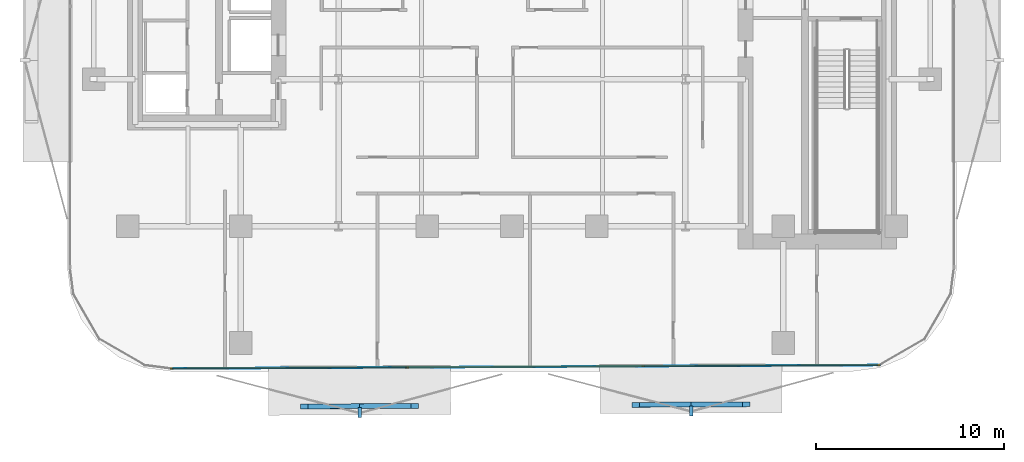
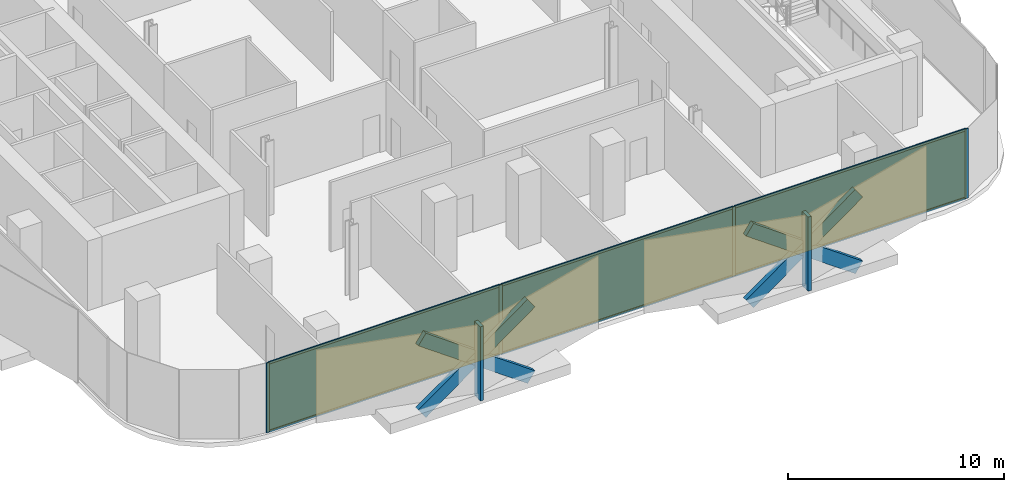
# One storey, part 7 of 15: 16 members, 3 plates, 1 curtain wall.
"""IFC4 building model written with IfcOpenShell, lengths in metres."""

from ifc_helpers import new_model, si_unit, direction, frame, frame_2d, origin, origin_2d, place, context, subcontext, project, spatial, rectangle, extrude, material, layer, layer_set, material_profile, profile_set, type_object, element, aggregate, save


model = new_model("IFC4")

# Units and contexts
model_context = context("Model", 3, precision=1e-05, world=origin(), true_north=direction((0.0, 1.0)))
body_context = subcontext(model_context, "Body", "Model", "MODEL_VIEW")
ifc_project = project(units=[si_unit("LENGTHUNIT", "METRE"), si_unit("AREAUNIT", "SQUARE_METRE"), si_unit("VOLUMEUNIT", "CUBIC_METRE"), si_unit("PLANEANGLEUNIT", "RADIAN"), si_unit("MASSUNIT", "GRAM", prefix="KILO")], contexts=[model_context])

# Member
ifc_material_1 = material(Name="Anodised Bronze Aluminium 6063-T6", Category="aluminium")
ifc_material_profile_1 = material_profile(ifc_material_1, rectangle(XDim=0.260009765625, YDim=0.699951171875, at=origin_2d()))
ifc_profile_set_1 = profile_set([ifc_material_profile_1], Name="Anodised Bronze Aluminium 6063-T6")
member_type_1 = type_object("IfcMemberType", Name="Bronze Diamond Solar-Screen Lattice Rib BDL-700", PredefinedType="MULLION", material=ifc_profile_set_1)
site_placement = place(None, origin())
building_placement = place(site_placement, origin())
storey_placement = place(building_placement, frame((0.0, 0.0, 135.199951171875)))
member_1_placement = place(storey_placement, frame((12.43408203125, -28.05078125, -0.1298828125), z_axis=(-0.812934950133, -0.003960582518, 0.582341034651), x_axis=(-0.007717649091, 0.999962326742, -0.003972780951)))
member_1 = element("IfcMember", 1, at=member_1_placement, type_object=member_type_1, Name="L31 Bronze Diamond Solar Screen Lattice Rib 193A", PredefinedType="MULLION", context=body_context, shape_type="SweptSolid", body=[
    extrude(rectangle(XDim=0.260009765625, YDim=0.699951171875, at=origin_2d()), origin(), (0.0, 0.0, 1.0), 7.212158203125),
])

member_2_placement = place(storey_placement, frame((6.571044921875, -28.079345703125, -0.1298828125), z_axis=(0.812934950133, 0.003960582518, 0.582341034651), x_axis=(0.007717649091, -0.999962326742, -0.003972780951)))
member_2 = element("IfcMember", 2, at=member_2_placement, type_object=member_type_1, Name="L31 Bronze Diamond Solar Screen Lattice Rib 193B", PredefinedType="MULLION", context=body_context, shape_type="SweptSolid", body=[
    extrude(rectangle(XDim=0.260009765625, YDim=0.699951171875, at=origin_2d()), origin(), (0.0, 0.0, 1.0), 7.212158203125),
])

member_3_placement = place(storey_placement, frame((-5.15478515625, -28.13671875, -0.1298828125), z_axis=(-0.812934950133, -0.003960582518, 0.582341034651), x_axis=(-0.007717649091, 0.999962326742, -0.003972780951)))
member_3 = element("IfcMember", 3, at=member_3_placement, type_object=member_type_1, Name="L31 Bronze Diamond Solar Screen Lattice Rib 194A", PredefinedType="MULLION", context=body_context, shape_type="SweptSolid", body=[
    extrude(rectangle(XDim=0.260009765625, YDim=0.699951171875, at=origin_2d()), origin(), (0.0, 0.0, 1.0), 7.212158203125),
])

member_4_placement = place(storey_placement, frame((-11.017822265625, -28.165283203125, -0.1298828125), z_axis=(0.812934950133, 0.003960582518, 0.582341034651), x_axis=(0.007717649091, -0.999962326742, -0.003972780951)))
member_4 = element("IfcMember", 4, at=member_4_placement, type_object=member_type_1, Name="L31 Bronze Diamond Solar Screen Lattice Rib 194B", PredefinedType="MULLION", context=body_context, shape_type="SweptSolid", body=[
    extrude(rectangle(XDim=0.260009765625, YDim=0.699951171875, at=origin_2d()), origin(), (0.0, 0.0, 1.0), 7.212158203125),
])

ifc_material_2 = material(Name="Anodised Bronze Aluminium 6063-T6", Category="aluminium")
ifc_material_profile_2 = material_profile(ifc_material_2, rectangle(XDim=0.179931640625, YDim=0.5400390625, at=origin_2d()))
ifc_profile_set_2 = profile_set([ifc_material_profile_2], Name="Anodised Bronze Aluminium 6063-T6")
member_type_2 = type_object("IfcMemberType", Name="Bronze Solar-Screen Vertical Fold Fin BSF-540", PredefinedType="MULLION", material=ifc_profile_set_2)
member_5_placement = place(storey_placement, frame((9.504150390625, -28.405029296875, -0.1298828125), z_axis=(0.0, 0.0, 1.0), x_axis=(-0.999988059021, -0.004886902454, 0.0)))
member_5 = element("IfcMember", 5, at=member_5_placement, type_object=member_type_2, Name="L31 Bronze Solar Screen Vertical Fin 193", PredefinedType="MULLION", context=body_context, shape_type="SweptSolid", body=[
    extrude(rectangle(XDim=0.179931640625, YDim=0.5400390625, at=origin_2d()), origin(), (0.0, 0.0, 1.0), 4.199951171875),
])

member_6_placement = place(storey_placement, frame((-8.084716796875, -28.4912109375, -0.1298828125), z_axis=(0.0, 0.0, 1.0), x_axis=(-0.999988059021, -0.004886902454, 0.0)))
member_6 = element("IfcMember", 6, at=member_6_placement, type_object=member_type_2, Name="L31 Bronze Solar Screen Vertical Fin 194", PredefinedType="MULLION", context=body_context, shape_type="SweptSolid", body=[
    extrude(rectangle(XDim=0.179931640625, YDim=0.5400390625, at=origin_2d()), origin(), (0.0, 0.0, 1.0), 4.199951171875),
])

ifc_material_3 = material(Name="Anodised Bronze Aluminium 6063-T6", Category="aluminium")
ifc_material_profile_3 = material_profile(ifc_material_3, rectangle(XDim=0.06494140625, YDim=0.175048828125, at=origin_2d()))
ifc_profile_set_3 = profile_set([ifc_material_profile_3], Name="Anodised Bronze Aluminium 6063-T6")
member_type_3 = type_object("IfcMemberType", Name="CW-Z2 Mullion 65x175", PredefinedType="MULLION", material=ifc_profile_set_3)
member_7_placement = place(storey_placement, frame((19.45458984375, -25.976318359375, 0.0), z_axis=(0.0, 0.0, 1.0), x_axis=(0.004891127252, -0.999988038366, 0.0)))
member_7 = element("IfcMember", 7, at=member_7_placement, type_object=member_type_3, Name="CW-Z2 mullion 1", PredefinedType="MULLION", context=body_context, shape_type="SweptSolid", body=[
    extrude(rectangle(XDim=0.06494140625, YDim=0.175048828125, at=origin_2d()), origin(), (0.0, 0.0, 1.0), 3.93994140625),
])

member_8_placement = place(storey_placement, frame((6.961181640625, -26.037353515625, 0.0), z_axis=(0.0, 0.0, 1.0), x_axis=(0.004891127252, -0.999988038366, 0.0)))
member_8 = element("IfcMember", 8, at=member_8_placement, type_object=member_type_3, Name="CW-Z2 mullion 2", PredefinedType="MULLION", context=body_context, shape_type="SweptSolid", body=[
    extrude(rectangle(XDim=0.06494140625, YDim=0.175048828125, at=origin_2d()), origin(), (0.0, 0.0, 1.0), 3.93994140625),
])

member_9_placement = place(storey_placement, frame((-5.56494140625, -26.0986328125, 0.0), z_axis=(0.0, 0.0, 1.0), x_axis=(0.004891127252, -0.999988038366, 0.0)))
member_9 = element("IfcMember", 9, at=member_9_placement, type_object=member_type_3, Name="CW-Z2 mullion 3", PredefinedType="MULLION", context=body_context, shape_type="SweptSolid", body=[
    extrude(rectangle(XDim=0.06494140625, YDim=0.175048828125, at=origin_2d()), origin(), (0.0, 0.0, 1.0), 3.93994140625),
])

member_10_placement = place(storey_placement, frame((-18.058349609375, -26.159912109375, 0.0), z_axis=(0.0, 0.0, 1.0), x_axis=(0.004891127252, -0.999988038366, 0.0)))
member_10 = element("IfcMember", 10, at=member_10_placement, type_object=member_type_3, Name="CW-Z2 mullion 4", PredefinedType="MULLION", context=body_context, shape_type="SweptSolid", body=[
    extrude(rectangle(XDim=0.06494140625, YDim=0.175048828125, at=origin_2d()), origin(), (0.0, 0.0, 1.0), 3.93994140625),
])

ifc_material_4 = material(Name="Anodised Bronze Aluminium 6063-T6", Category="aluminium")
ifc_material_profile_4 = material_profile(ifc_material_4, rectangle(XDim=0.06494140625, YDim=0.135009765625, at=origin_2d()))
ifc_profile_set_4 = profile_set([ifc_material_profile_4], Name="Anodised Bronze Aluminium 6063-T6")
member_type_4 = type_object("IfcMemberType", Name="CW-Z2 Transom 65x135", PredefinedType="USERDEFINED", material=ifc_profile_set_4)
member_11_placement = place(storey_placement, frame((19.422119140625, -25.9765625, 0.032470703125), z_axis=(-0.999988037942, -0.00489121381, 0.0), x_axis=(0.00489121381, -0.999988037942, 0.0)))
member_11 = element("IfcMember", 11, at=member_11_placement, type_object=member_type_4, Name="CW-Z2 transom 1.1", ObjectType="TRANSOM", PredefinedType="USERDEFINED", context=body_context, shape_type="SweptSolid", body=[
    extrude(rectangle(XDim=0.06494140625, YDim=0.135009765625, at=origin_2d()), origin(), (0.0, 0.0, 1.0), 12.4287109375),
])

member_12_placement = place(storey_placement, frame((19.422119140625, -25.9765625, 3.907470703125), z_axis=(-0.999988037942, -0.00489121381, 0.0), x_axis=(0.00489121381, -0.999988037942, 0.0)))
member_12 = element("IfcMember", 12, at=member_12_placement, type_object=member_type_4, Name="CW-Z2 transom 1.2", ObjectType="TRANSOM", PredefinedType="USERDEFINED", context=body_context, shape_type="SweptSolid", body=[
    extrude(rectangle(XDim=0.06494140625, YDim=0.135009765625, at=origin_2d()), origin(), (0.0, 0.0, 1.0), 12.4287109375),
])

member_13_placement = place(storey_placement, frame((6.928466796875, -26.03759765625, 0.032470703125), z_axis=(-0.99998800443, -0.004898060367, 0.0), x_axis=(0.004898060367, -0.99998800443, 0.0)))
member_13 = element("IfcMember", 13, at=member_13_placement, type_object=member_type_4, Name="CW-Z2 transom 2.1", ObjectType="TRANSOM", PredefinedType="USERDEFINED", context=body_context, shape_type="SweptSolid", body=[
    extrude(rectangle(XDim=0.06494140625, YDim=0.135009765625, at=origin_2d()), origin(), (0.0, 0.0, 1.0), 12.461181640625),
])

member_14_placement = place(storey_placement, frame((6.928466796875, -26.03759765625, 3.907470703125), z_axis=(-0.99998800443, -0.004898060367, 0.0), x_axis=(0.004898060367, -0.99998800443, 0.0)))
member_14 = element("IfcMember", 14, at=member_14_placement, type_object=member_type_4, Name="CW-Z2 transom 2.2", ObjectType="TRANSOM", PredefinedType="USERDEFINED", context=body_context, shape_type="SweptSolid", body=[
    extrude(rectangle(XDim=0.06494140625, YDim=0.135009765625, at=origin_2d()), origin(), (0.0, 0.0, 1.0), 12.461181640625),
])

member_15_placement = place(storey_placement, frame((-5.597412109375, -26.098876953125, 0.032470703125), z_axis=(-0.999988037942, -0.00489121381, 0.0), x_axis=(0.00489121381, -0.999988037942, 0.0)))
member_15 = element("IfcMember", 15, at=member_15_placement, type_object=member_type_4, Name="CW-Z2 transom 3.1", ObjectType="TRANSOM", PredefinedType="USERDEFINED", context=body_context, shape_type="SweptSolid", body=[
    extrude(rectangle(XDim=0.06494140625, YDim=0.135009765625, at=origin_2d()), origin(), (0.0, 0.0, 1.0), 12.4287109375),
])

member_16_placement = place(storey_placement, frame((-5.597412109375, -26.098876953125, 3.907470703125), z_axis=(-0.999988037942, -0.00489121381, 0.0), x_axis=(0.00489121381, -0.999988037942, 0.0)))
member_16 = element("IfcMember", 16, at=member_16_placement, type_object=member_type_4, Name="CW-Z2 transom 3.2", ObjectType="TRANSOM", PredefinedType="USERDEFINED", context=body_context, shape_type="SweptSolid", body=[
    extrude(rectangle(XDim=0.06494140625, YDim=0.135009765625, at=origin_2d()), origin(), (0.0, 0.0, 1.0), 12.4287109375),
])

# Plate
ifc_material_5 = material(Name="Low-E Solar Control Laminated Glass", Category="glass")
ifc_layer_1 = layer(ifc_material_5, 0.028076171875, Name="Low-E Solar Control Laminated Glass")
ifc_layer_set_1 = layer_set([ifc_layer_1], Name="Low-E Solar Control Laminated Glass")
plate_type = type_object("IfcPlateType", Name="CW-Z2 Low-E Double Glazed Panel 28mm", PredefinedType="CURTAIN_PANEL", material=ifc_layer_set_1)
plate_1_placement = place(storey_placement, frame((13.207763671875, -26.0068359375, 0.06494140625), z_axis=(0.0, 0.0, 1.0), x_axis=(-0.999988038366, -0.004891127252, 0.0)))
plate_1 = element("IfcPlate", 17, at=plate_1_placement, type_object=plate_type, Name="CW-Z2 panel 1.1", PredefinedType="CURTAIN_PANEL", context=body_context, shape_type="SweptSolid", body=[
    extrude(rectangle(XDim=12.428466796875, YDim=0.028076171875, at=origin_2d()), origin(), (0.0, 0.0, 1.0), 3.81005859375),
])

plate_2_placement = place(storey_placement, frame((0.697998046875, -26.068115234375, 0.06494140625), z_axis=(0.0, 0.0, 1.0), x_axis=(-0.999988038366, -0.004891127252, 0.0)))
plate_2 = element("IfcPlate", 18, at=plate_2_placement, type_object=plate_type, Name="CW-Z2 panel 2.1", PredefinedType="CURTAIN_PANEL", context=body_context, shape_type="SweptSolid", body=[
    extrude(rectangle(XDim=12.461181640625, YDim=0.028076171875, at=origin_2d()), origin(), (0.0, 0.0, 1.0), 3.81005859375),
])

plate_3_placement = place(storey_placement, frame((-11.8115234375, -26.12939453125, 0.06494140625), z_axis=(0.0, 0.0, 1.0), x_axis=(-0.999988038366, -0.004891127252, 0.0)))
plate_3 = element("IfcPlate", 19, at=plate_3_placement, type_object=plate_type, Name="CW-Z2 panel 3.1", PredefinedType="CURTAIN_PANEL", context=body_context, shape_type="SweptSolid", body=[
    extrude(rectangle(XDim=12.428466796875, YDim=0.028076171875, at=origin_2d()), origin(), (0.0, 0.0, 1.0), 3.81005859375),
])

# Site, building, storey
site = spatial("IfcSite", under=ifc_project, at=site_placement, CompositionType="ELEMENT")
building = spatial("IfcBuilding", under=site, at=building_placement, Name="Khairoan Windgate Tower", CompositionType="ELEMENT")
storey = spatial("IfcBuildingStorey", under=building, at=storey_placement, Name="L31", CompositionType="ELEMENT", Elevation=135.199951171875)

# Curtain wall
ifc_material_6 = material(Name="Anodised Bronze Aluminium 6063-T6", Category="aluminium")
ifc_layer_2 = layer(ifc_material_6, 0.175048828125, Name="Anodised Bronze Aluminium 6063-T6")
ifc_layer_set_2 = layer_set([ifc_layer_2], Name="Anodised Bronze Aluminium 6063-T6")
curtain_wall_type = type_object("IfcCurtainWallType", Name="Mid-Rise Office Unitised Curtain Wall CW-Z2", PredefinedType="NOTDEFINED", material=ifc_layer_set_2)
curtain_wall_placement = place(storey_placement, frame((19.487060546875, -25.976318359375, 0.0), z_axis=(0.0, 0.0, 1.0), x_axis=(-0.999988065247, -0.004885628318, 0.0)))
curtain_wall = element("IfcCurtainWall", 20, at=curtain_wall_placement, inside=storey, type_object=curtain_wall_type, Name="L31 Unitised Curtain Wall 1", PredefinedType="NOTDEFINED", context=body_context, shape_type="SweptSolid", body=[
    extrude(rectangle(XDim=37.578369140625, YDim=0.010009765625, at=frame_2d((18.7890625, 0.0))), origin(), (0.0, 0.0, 1.0), 3.93994140625),
])

aggregate(curtain_wall, [member_7, member_8, member_9, member_10, member_11, member_12, plate_1, member_13, member_14, plate_2, member_15, member_16, plate_3, member_1, member_2, member_5, member_3, member_4, member_6])

save(model, "model.ifc")
